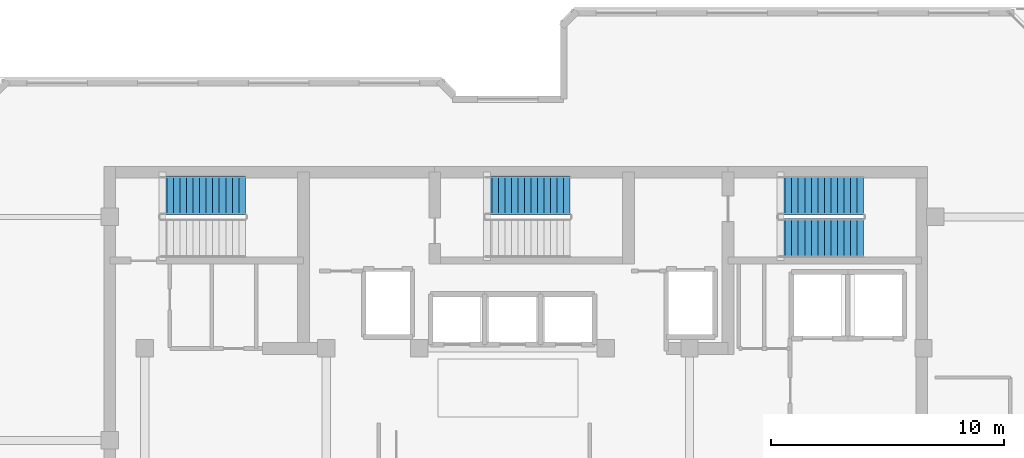
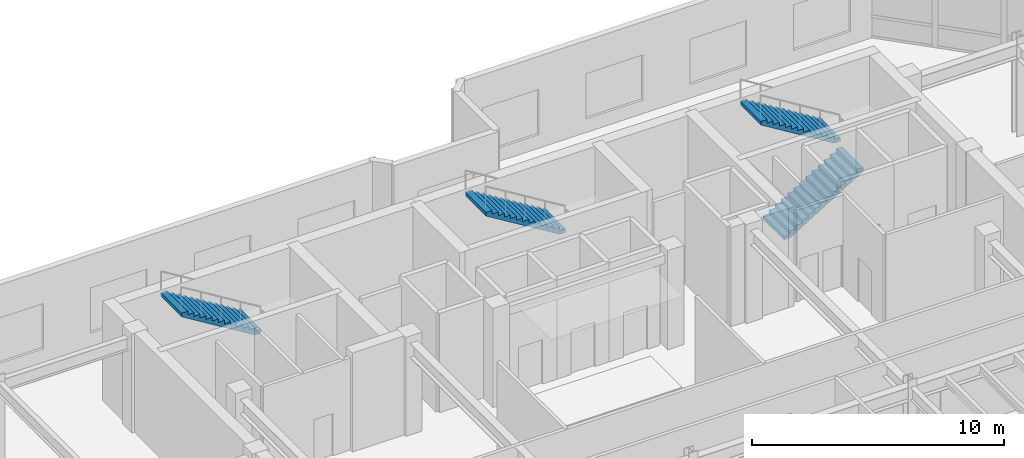
# One storey, part 9 of 12: 4 stair flights, 3 elements without a shape of their own.
"""IFC4 building model written with IfcOpenShell, lengths in metres."""

import ifcopenshell
import ifcopenshell.guid

model = None  # the IFC model being written
_history = None  # IfcOwnerHistory: only IFC2X3 demands one
_inside = {}  # id of a spatial element -> (the spatial element, [elements in it])
_under = {}  # id of a project, library or spatial element -> (it, [spatial elements below it])
_declared = {}  # id of a project -> (the project, [libraries it declares])
_typed = {}  # id of a type object -> (the type object, [elements of that type])
_made_of = {}  # id of a material, layer set ... -> (it, [elements and type objects made of it])


def new_model(schema):
    """Start an empty IFC model of exactly this schema.

    Asked for "IFC4X3", IfcOpenShell would pick the latest addendum, in which some entities
    have other attributes; the version numbers below select the first issue.
    IFC2X3 requires an IfcOwnerHistory on every rooted entity: one is made here for all.
    """
    global model, _history
    if schema == "IFC4X3":
        model = ifcopenshell.file(schema_version=(4, 3, 0, 0))
    else:
        model = ifcopenshell.file(schema=schema)
    _inside.clear()
    _under.clear()
    _declared.clear()
    _typed.clear()
    _made_of.clear()
    _history = None
    if model.schema == "IFC2X3":
        org = make("IfcOrganization", Name="unknown")
        user = make(
            "IfcPersonAndOrganization",
            ThePerson=make("IfcPerson", FamilyName="unknown"),
            TheOrganization=org,
        )
        app = make(
            "IfcApplication",
            ApplicationDeveloper=org,
            Version="unknown",
            ApplicationFullName="unknown",
            ApplicationIdentifier="unknown",
        )
        _history = make(
            "IfcOwnerHistory",
            OwningUser=user,
            OwningApplication=app,
            ChangeAction="ADDED",
            CreationDate=0,
        )
    return model


def make(cls, **values):
    """One entity of the class cls with the attributes given. An attribute that is None is left unset."""
    return model.create_entity(
        cls, **{name: value for name, value in values.items() if value is not None}
    )


def rooted(cls, **values):
    """An entity with a GlobalId (a new one), such as an element, a storey or a relation."""
    return make(cls, GlobalId=ifcopenshell.guid.new(), OwnerHistory=_history, **values)


def si_unit(unit_type, name, prefix=None):
    """IfcSIUnit, for example si_unit("LENGTHUNIT", "METRE", prefix="MILLI")."""
    return make("IfcSIUnit", UnitType=unit_type, Prefix=prefix, Name=name)


def assignment(units):
    """IfcUnitAssignment: the units of a project."""
    return None if units is None else make("IfcUnitAssignment", Units=units)


def point(xyz):
    """IfcCartesianPoint."""
    return None if xyz is None else make("IfcCartesianPoint", Coordinates=xyz)


def direction(xyz):
    """IfcDirection."""
    return None if xyz is None else make("IfcDirection", DirectionRatios=xyz)


def frame(location, z_axis=None, x_axis=None):
    """IfcAxis2Placement3D, a coordinate frame: its origin and axes. An axis left out is left unset."""
    return make(
        "IfcAxis2Placement3D",
        Location=point(location),
        Axis=direction(z_axis),
        RefDirection=direction(x_axis),
    )


def origin():
    """The frame at (0, 0, 0) with its axes left unset."""
    return frame((0.0, 0.0, 0.0))


def place(relative_to, where):
    """IfcLocalPlacement: puts the frame where relative to a parent placement (None: the world)."""
    return make(
        "IfcLocalPlacement", PlacementRelTo=relative_to, RelativePlacement=where
    )


def context(
    kind, dimensions, precision=None, world=None, true_north=None, identifier=None
):
    """IfcGeometricRepresentationContext, for example the 3D "Model" context."""
    return make(
        "IfcGeometricRepresentationContext",
        ContextIdentifier=identifier,
        ContextType=kind,
        CoordinateSpaceDimension=dimensions,
        Precision=precision,
        WorldCoordinateSystem=world,
        TrueNorth=true_north,
    )


def subcontext(parent, identifier, kind, view, scale=None):
    """IfcGeometricRepresentationSubContext, for example "Body" below "Model"."""
    return make(
        "IfcGeometricRepresentationSubContext",
        ContextIdentifier=identifier,
        ContextType=kind,
        ParentContext=parent,
        TargetScale=scale,
        TargetView=view,
    )


def project(units=None, contexts=None):
    """IfcProject with its units and contexts."""
    return rooted(
        "IfcProject",
        Name="project",
        RepresentationContexts=contexts,
        UnitsInContext=assignment(units),
    )


def spatial(cls, under=None, at=None, **own):
    """A site, building, storey or space (cls), placed at a placement, below another one or the project."""
    s = rooted(cls, ObjectPlacement=at, **own)
    if under is not None:
        _under.setdefault(under.id(), (under, []))[1].append(s)
    return s


def polyline(points):
    """IfcPolyline through the points."""
    return make("IfcPolyline", Points=[point(p) for p in points])


def outline(outer, holes=None, kind="AREA"):
    """IfcArbitraryClosedProfileDef: a profile drawn as a closed curve; with holes, ...WithVoids."""
    if holes is None:
        return make("IfcArbitraryClosedProfileDef", ProfileType=kind, OuterCurve=outer)
    return make(
        "IfcArbitraryProfileDefWithVoids",
        ProfileType=kind,
        OuterCurve=outer,
        InnerCurves=holes,
    )


def extrude(swept, where, along, depth):
    """IfcExtrudedAreaSolid: the profile swept, set in the frame where, extruded along a direction by depth."""
    return make(
        "IfcExtrudedAreaSolid",
        SweptArea=swept,
        Position=where,
        ExtrudedDirection=direction(along),
        Depth=depth,
    )


def shape(context_of_items, identifier, shape_type, items):
    """IfcShapeRepresentation: the items that make up one representation, for example the "Body"."""
    return make(
        "IfcShapeRepresentation",
        ContextOfItems=context_of_items,
        RepresentationIdentifier=identifier,
        RepresentationType=shape_type,
        Items=items,
    )


def material(Name=None, Category=None):
    """IfcMaterial."""
    return make("IfcMaterial", Name=Name, Category=Category)


def made_of(thing, what):
    """Note that an element or type object is made of a material, layer set ...; save() writes the relation."""
    if what is not None:
        _made_of.setdefault(what.id(), (what, []))[1].append(thing)
    return thing


def type_object(cls, material=None, **own):
    """A type object (cls), such as IfcWallType, which elements share."""
    return made_of(rooted(cls, **own), material)


def element(
    cls,
    number,
    at=None,
    inside=None,
    cuts=None,
    type_object=None,
    material=None,
    context=None,
    identifier="Body",
    shape_type=None,
    held_by="IfcProductDefinitionShape",
    body=None,
    shapes=None,
    **own,
):
    """One element of the class cls, such as IfcWall. Its Tag is "e" and its number.

    at: its placement. inside: the storey or other place that contains it. cuts: it is an
    opening in that element (IfcRelVoidsElement). A single representation is given by context,
    identifier, shape_type and body (its items); several are given by shapes. held_by: the class
    of the entity that holds the representations. save() writes the other relations.
    """
    e = rooted(cls, Tag="e%d" % number, ObjectPlacement=at, **own)
    if body is not None:
        shapes = [shape(context, identifier, shape_type, body)]
    if shapes is not None:
        e.Representation = make(held_by, Representations=shapes)
    if inside is not None:
        _inside.setdefault(inside.id(), (inside, []))[1].append(e)
    if cuts is not None:
        rooted(
            "IfcRelVoidsElement", RelatingBuildingElement=cuts, RelatedOpeningElement=e
        )
    if type_object is not None:
        _typed.setdefault(type_object.id(), (type_object, []))[1].append(e)
    return made_of(e, material)


def aggregate(whole, parts):
    """IfcRelAggregates: a whole, such as a stair, and the parts it consists of."""
    return rooted("IfcRelAggregates", RelatingObject=whole, RelatedObjects=parts)


def save(model, path):
    """Write the relations noted so far, then the file.

    IfcRelAggregates (storeys below a building ...), IfcRelContainedInSpatialStructure (elements
    in a storey), IfcRelDefinesByType, IfcRelAssociatesMaterial and IfcRelDeclares: one each for
    every whole, place, type object, material and project.
    """
    for whole, parts in _under.values():
        aggregate(whole, parts)
    for where, things in _inside.values():
        rooted(
            "IfcRelContainedInSpatialStructure",
            RelatedElements=things,
            RelatingStructure=where,
        )
    for kind, things in _typed.values():
        rooted("IfcRelDefinesByType", RelatedObjects=things, RelatingType=kind)
    for what, things in _made_of.values():
        rooted("IfcRelAssociatesMaterial", RelatedObjects=things, RelatingMaterial=what)
    for by, libraries in _declared.values():
        rooted("IfcRelDeclares", RelatingContext=by, RelatedDefinitions=libraries)
    model.write(path)


model = new_model("IFC4")

# Units and contexts
model_context = context("Model", 3, precision=1e-05, world=origin(), true_north=direction((0.0, 1.0)))
body_context = subcontext(model_context, "Body", "Model", "MODEL_VIEW")
ifc_project = project(units=[si_unit("LENGTHUNIT", "METRE"), si_unit("AREAUNIT", "SQUARE_METRE"), si_unit("VOLUMEUNIT", "CUBIC_METRE"), si_unit("PLANEANGLEUNIT", "RADIAN"), si_unit("MASSUNIT", "GRAM", prefix="KILO")], contexts=[model_context])

# Site, building, storey
site_placement = place(None, origin())
site = spatial("IfcSite", under=ifc_project, at=site_placement, CompositionType="ELEMENT")
building_placement = place(site_placement, origin())
building = spatial("IfcBuilding", under=site, at=building_placement, Name="Kestravale Grand Hotel", CompositionType="ELEMENT")
storey_placement = place(building_placement, frame((0.0, 0.0, 306.60009765625)))
storey = spatial("IfcBuildingStorey", under=building, at=storey_placement, Name="L76", CompositionType="ELEMENT", Elevation=306.60009765625)

# Stair, stair flight
ifc_material_1 = material(Name="Concrete f'c 45 MPa", Category="concrete")
stair_type = type_object("IfcStairType", Name="ST-CORE-480", PredefinedType="HALF_TURN_STAIR", material=ifc_material_1)
stair_1_placement = place(storey_placement, origin())
stair_1 = element("IfcStair", 1, at=stair_1_placement, inside=storey, type_object=stair_type, Name="L76 ST-1", PredefinedType="HALF_TURN_STAIR")
ifc_material_2 = material(Name="Concrete f'c 45 MPa", Category="concrete")
stair_flight_type = type_object("IfcStairFlightType", Name="STF-CORE-480", PredefinedType="STRAIGHT", material=ifc_material_2)
stair_flight_1_placement = place(storey_placement, frame((27.719970703125, 39.320068359375, 2.39990234375), z_axis=(0.0, 0.0, 1.0), x_axis=(-1.0, 0.0, 0.0)))
stair_flight_1 = element("IfcStairFlight", 2, at=stair_flight_1_placement, type_object=stair_flight_type, Name="ST-1 flight 2", NumberOfRisers=14, NumberOfTreads=13, PredefinedType="STRAIGHT", RiserHeight=0.171428571, TreadLength=0.28, context=body_context, shape_type="SweptSolid", body=[
    extrude(outline(polyline([(0.0, 0.0), (0.0, 0.17138671875), (0.280029296875, 0.17138671875), (0.280029296875, 0.3427734375), (0.56005859375, 0.3427734375), (0.56005859375, 0.514404296875), (0.840087890625, 0.514404296875), (0.840087890625, 0.685791015625), (1.1201171875, 0.685791015625), (1.1201171875, 0.857177734375), (1.39990234375, 0.857177734375), (1.39990234375, 1.028564453125), (1.679931640625, 1.028564453125), (1.679931640625, 1.199951171875), (1.9599609375, 1.199951171875), (1.9599609375, 1.371337890625), (2.239990234375, 1.371337890625), (2.239990234375, 1.54296875), (2.52001953125, 1.54296875), (2.52001953125, 1.71435546875), (2.800048828125, 1.71435546875), (2.800048828125, 1.8857421875), (3.080078125, 1.8857421875), (3.080078125, 2.05712890625), (3.360107421875, 2.05712890625), (3.360107421875, 2.228515625), (3.639892578125, 2.228515625), (3.639892578125, 2.39990234375), (3.639892578125, 2.052734375), (0.287109375, 0.0), (0.0, 0.0)])), frame((0.0, 0.83984375, 0.0), z_axis=(0.0, -1.0, 0.0), x_axis=(1.0, 0.0, 0.0)), (0.0, 0.0, 1.0), 1.679931640625),
])
aggregate(stair_1, [stair_flight_1])

stair_2_placement = place(storey_placement, origin())
stair_2 = element("IfcStair", 3, at=stair_2_placement, inside=storey, type_object=stair_type, Name="L76 ST-2", PredefinedType="HALF_TURN_STAIR")
stair_flight_2_placement = place(storey_placement, frame((41.669921875, 39.320068359375, 2.39990234375), z_axis=(0.0, 0.0, 1.0), x_axis=(-1.0, 0.0, 0.0)))
stair_flight_2 = element("IfcStairFlight", 4, at=stair_flight_2_placement, type_object=stair_flight_type, Name="ST-2 flight 2", NumberOfRisers=14, NumberOfTreads=13, PredefinedType="STRAIGHT", RiserHeight=0.171428571, TreadLength=0.28, context=body_context, shape_type="SweptSolid", body=[
    extrude(outline(polyline([(0.0, 0.0), (0.0, 0.17138671875), (0.280029296875, 0.17138671875), (0.280029296875, 0.3427734375), (0.56005859375, 0.3427734375), (0.56005859375, 0.514404296875), (0.840087890625, 0.514404296875), (0.840087890625, 0.685791015625), (1.1201171875, 0.685791015625), (1.1201171875, 0.857177734375), (1.39990234375, 0.857177734375), (1.39990234375, 1.028564453125), (1.679931640625, 1.028564453125), (1.679931640625, 1.199951171875), (1.9599609375, 1.199951171875), (1.9599609375, 1.371337890625), (2.239990234375, 1.371337890625), (2.239990234375, 1.54296875), (2.52001953125, 1.54296875), (2.52001953125, 1.71435546875), (2.800048828125, 1.71435546875), (2.800048828125, 1.8857421875), (3.080078125, 1.8857421875), (3.080078125, 2.05712890625), (3.360107421875, 2.05712890625), (3.360107421875, 2.228515625), (3.639892578125, 2.228515625), (3.639892578125, 2.39990234375), (3.639892578125, 2.052734375), (0.287109375, 0.0), (0.0, 0.0)])), frame((0.0, 0.83984375, 0.0), z_axis=(0.0, -1.0, 0.0), x_axis=(1.0, 0.0, 0.0)), (0.0, 0.0, 1.0), 1.679931640625),
])
aggregate(stair_2, [stair_flight_2])

# Stair, stair flights
stair_3_placement = place(storey_placement, origin())
stair_3 = element("IfcStair", 5, at=stair_3_placement, inside=storey, type_object=stair_type, Name="L76 ST-3", PredefinedType="HALF_TURN_STAIR")
stair_flight_3_placement = place(storey_placement, frame((50.6298828125, 37.489990234375, 0.0), z_axis=(0.0, 0.0, 1.0), x_axis=(1.0, 0.0, 0.0)))
stair_flight_3 = element("IfcStairFlight", 6, at=stair_flight_3_placement, type_object=stair_flight_type, Name="ST-3 flight 1", NumberOfRisers=14, NumberOfTreads=13, PredefinedType="STRAIGHT", RiserHeight=0.171428571, TreadLength=0.28, context=body_context, shape_type="SweptSolid", body=[
    extrude(outline(polyline([(0.0, 0.0), (0.0, 0.17138671875), (0.280029296875, 0.17138671875), (0.280029296875, 0.3427734375), (0.56005859375, 0.3427734375), (0.56005859375, 0.514404296875), (0.840087890625, 0.514404296875), (0.840087890625, 0.685791015625), (1.1201171875, 0.685791015625), (1.1201171875, 0.857177734375), (1.39990234375, 0.857177734375), (1.39990234375, 1.028564453125), (1.679931640625, 1.028564453125), (1.679931640625, 1.199951171875), (1.9599609375, 1.199951171875), (1.9599609375, 1.371337890625), (2.239990234375, 1.371337890625), (2.239990234375, 1.54296875), (2.52001953125, 1.54296875), (2.52001953125, 1.71435546875), (2.800048828125, 1.71435546875), (2.800048828125, 1.8857421875), (3.080078125, 1.8857421875), (3.080078125, 2.05712890625), (3.360107421875, 2.05712890625), (3.360107421875, 2.228515625), (3.639892578125, 2.228515625), (3.639892578125, 2.39990234375), (3.639892578125, 2.052734375), (0.287109375, 0.0), (0.0, 0.0)])), frame((0.0, 0.83984375, 0.0), z_axis=(0.0, -1.0, 0.0), x_axis=(1.0, 0.0, 0.0)), (0.0, 0.0, 1.0), 1.679931640625),
])
stair_flight_4_placement = place(storey_placement, frame((54.27001953125, 39.320068359375, 2.39990234375), z_axis=(0.0, 0.0, 1.0), x_axis=(-1.0, 0.0, 0.0)))
stair_flight_4 = element("IfcStairFlight", 7, at=stair_flight_4_placement, type_object=stair_flight_type, Name="ST-3 flight 2", NumberOfRisers=14, NumberOfTreads=13, PredefinedType="STRAIGHT", RiserHeight=0.171428571, TreadLength=0.28, context=body_context, shape_type="SweptSolid", body=[
    extrude(outline(polyline([(0.0, 0.0), (0.0, 0.17138671875), (0.280029296875, 0.17138671875), (0.280029296875, 0.3427734375), (0.56005859375, 0.3427734375), (0.56005859375, 0.514404296875), (0.840087890625, 0.514404296875), (0.840087890625, 0.685791015625), (1.1201171875, 0.685791015625), (1.1201171875, 0.857177734375), (1.39990234375, 0.857177734375), (1.39990234375, 1.028564453125), (1.679931640625, 1.028564453125), (1.679931640625, 1.199951171875), (1.9599609375, 1.199951171875), (1.9599609375, 1.371337890625), (2.239990234375, 1.371337890625), (2.239990234375, 1.54296875), (2.52001953125, 1.54296875), (2.52001953125, 1.71435546875), (2.800048828125, 1.71435546875), (2.800048828125, 1.8857421875), (3.080078125, 1.8857421875), (3.080078125, 2.05712890625), (3.360107421875, 2.05712890625), (3.360107421875, 2.228515625), (3.639892578125, 2.228515625), (3.639892578125, 2.39990234375), (3.639892578125, 2.052734375), (0.287109375, 0.0), (0.0, 0.0)])), frame((0.0, 0.83984375, 0.0), z_axis=(0.0, -1.0, 0.0), x_axis=(1.0, 0.0, 0.0)), (0.0, 0.0, 1.0), 1.679931640625),
])
aggregate(stair_3, [stair_flight_3, stair_flight_4])

save(model, "model.ifc")
